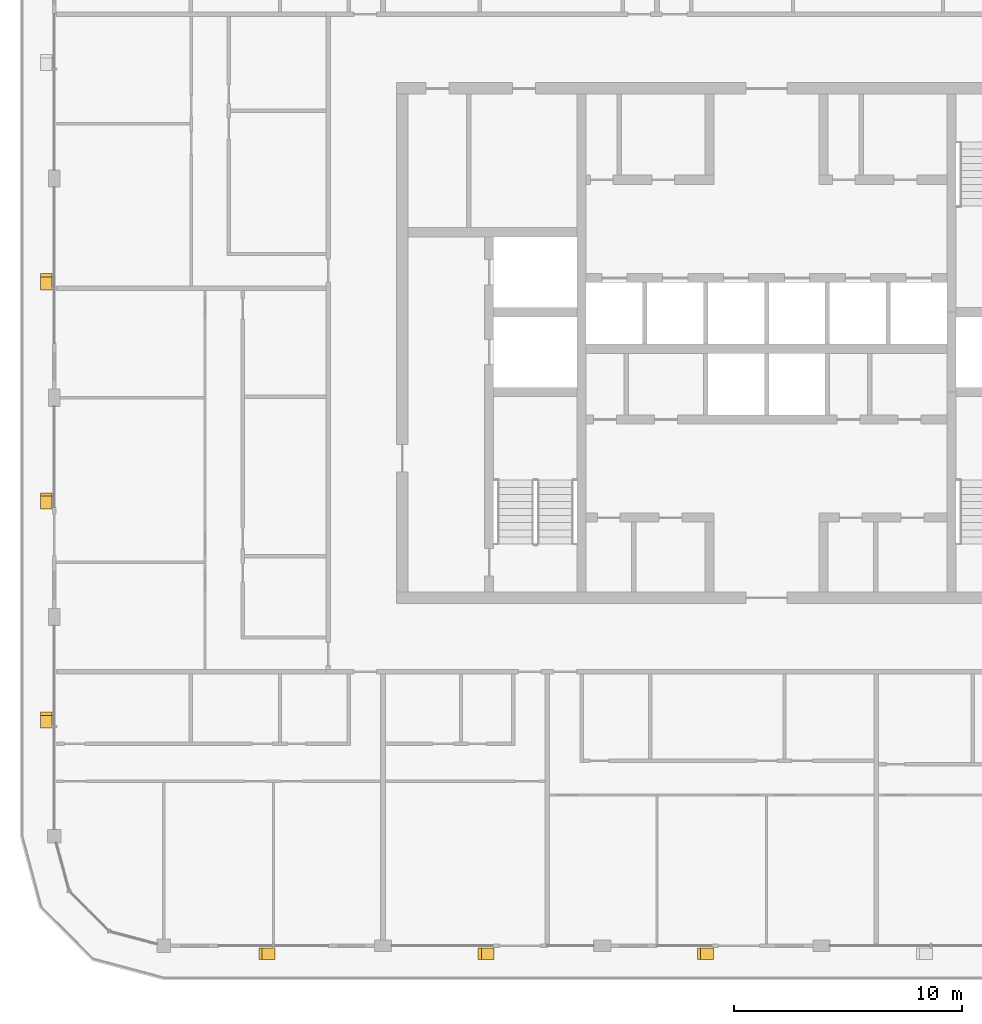
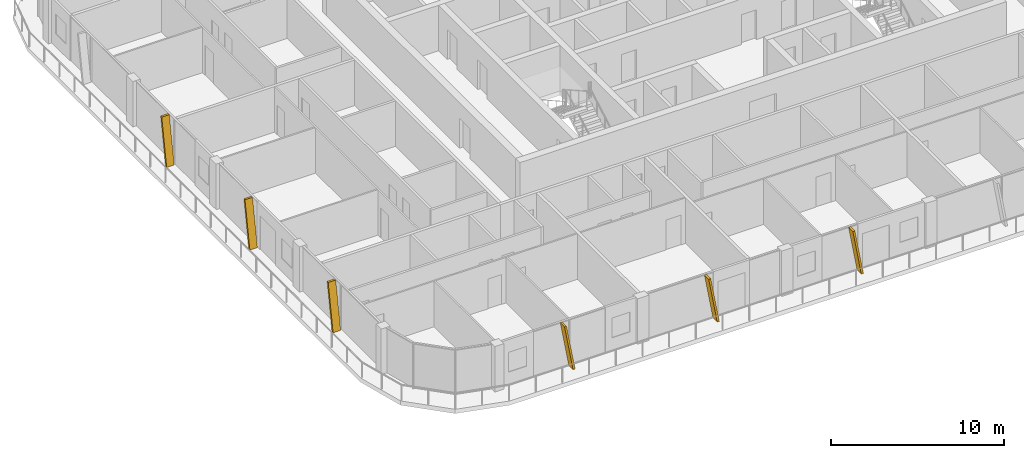
# One storey, part 17 of 22: 6 shading devices.
"""IFC4 building model written with IfcOpenShell, lengths in metres."""

from ifc_helpers import new_model, si_unit, direction, frame, origin, place, context, subcontext, project, spatial, polyline, outline, extrude, material, type_object, element, save


model = new_model("IFC4")

# Units and contexts
model_context = context("Model", 3, precision=1e-05, world=origin(), true_north=direction((0.0, 1.0)))
body_context = subcontext(model_context, "Body", "Model", "MODEL_VIEW")
ifc_project = project(units=[si_unit("LENGTHUNIT", "METRE"), si_unit("AREAUNIT", "SQUARE_METRE"), si_unit("VOLUMEUNIT", "CUBIC_METRE"), si_unit("PLANEANGLEUNIT", "RADIAN"), si_unit("MASSUNIT", "GRAM", prefix="KILO")], contexts=[model_context])

# Site, building, storey
site_placement = place(None, origin())
site = spatial("IfcSite", under=ifc_project, at=site_placement, CompositionType="ELEMENT")
building_placement = place(site_placement, origin())
building = spatial("IfcBuilding", under=site, at=building_placement, Name="Madar Terraces", CompositionType="ELEMENT")
storey_placement = place(building_placement, frame((0.0, 0.0, 279.10009765625)))
storey = spatial("IfcBuildingStorey", under=building, at=storey_placement, Name="L73", CompositionType="ELEMENT", Elevation=279.10009765625)

# Shading devices
ifc_material = material(Name="Aluminium, black anodised", Category="aluminium")
shading_device_type = type_object("IfcShadingDeviceType", Name="Facade fin blade 140 x 500", PredefinedType="USERDEFINED", material=ifc_material)
shading_device_1_placement = place(storey_placement, frame((9.530029296875, -0.35009765625, 0.0), z_axis=(0.0, 0.0, 1.0), x_axis=(1.0, 0.0, 0.0)))
element("IfcShadingDevice", 1, at=shading_device_1_placement, inside=storey, type_object=shading_device_type, Name="FIN L73 S1", ObjectType="FIN", PredefinedType="USERDEFINED", context=body_context, shape_type="SweptSolid", body=[
    extrude(outline(polyline([(0.0, 0.0), (0.139892578125, 0.0), (-0.42431640625, 3.199951171875), (-0.564208984375, 3.199951171875), (0.0, 0.0)])), frame((0.0, 0.25, 0.0), z_axis=(0.0, -1.0, 0.0), x_axis=(1.0, 0.0, 0.0)), (0.0, 0.0, 1.0), 0.5),
])
for number, where, z_axis, x_axis, name in (
    (2, (19.1298828125, -0.35009765625, 0.0), (0.0, 0.0, 1.0), (1.0, 0.0, 0.0), "FIN L73 S2"),
    (3, (28.72998046875, -0.35009765625, 0.0), (0.0, 0.0, 1.0), (1.0, 0.0, 0.0), "FIN L73 S3"),
    (4, (-0.35009765625, 28.8701171875, 0.0), (0.0, 0.0, 1.0), (0.0, -1.0, 0.0), "FIN L73 W2"),
    (5, (-0.35009765625, 19.27001953125, 0.0), (0.0, 0.0, 1.0), (0.0, -1.0, 0.0), "FIN L73 W3"),
):
    element("IfcShadingDevice", number, at=place(storey_placement, frame(where, z_axis=z_axis, x_axis=x_axis)), inside=storey, type_object=shading_device_type, Name=name, ObjectType="FIN", PredefinedType="USERDEFINED", context=body_context, shape_type="SweptSolid", body=[
        extrude(outline(polyline([(0.0, 0.0), (0.14013671875, 0.0), (-0.42431640625, 3.199951171875), (-0.564208984375, 3.199951171875), (0.0, 0.0)])), frame((0.0, 0.25, 0.0), z_axis=(0.0, -1.0, 0.0), x_axis=(1.0, 0.0, 0.0)), (0.0, 0.0, 1.0), 0.5),
    ])
shading_device_2_placement = place(storey_placement, frame((-0.35009765625, 9.669921875, 0.0), z_axis=(0.0, 0.0, 1.0), x_axis=(0.0, -1.0, 0.0)))
element("IfcShadingDevice", 6, at=shading_device_2_placement, inside=storey, type_object=shading_device_type, Name="FIN L73 W4", ObjectType="FIN", PredefinedType="USERDEFINED", context=body_context, shape_type="SweptSolid", body=[
    extrude(outline(polyline([(0.0, 0.0), (0.139892578125, 0.0), (-0.42431640625, 3.199951171875), (-0.564208984375, 3.199951171875), (0.0, 0.0)])), frame((0.0, 0.25, 0.0), z_axis=(0.0, -1.0, 0.0), x_axis=(1.0, 0.0, 0.0)), (0.0, 0.0, 1.0), 0.5),
])

save(model, "model.ifc")
